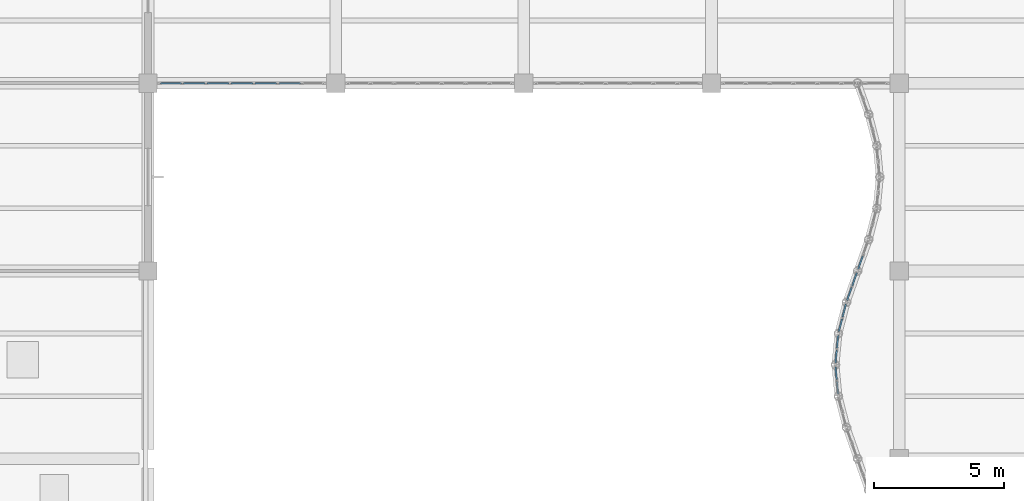
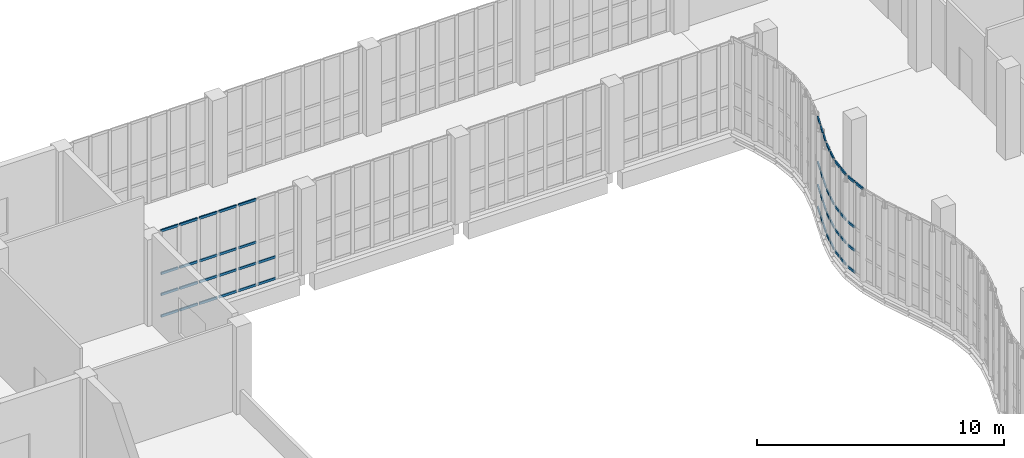
# One storey, part 53 of 108: 55 members, 6 elements without a shape of their own.
"""IFC4 building model written with IfcOpenShell, lengths in metres."""

from ifc_helpers import new_model, si_unit, direction, frame, origin, origin_2d, place, context, subcontext, project, spatial, hollow_rectangle, extrude, material, layer, layer_set, material_profile, profile_set, type_object, element, aggregate, save


model = new_model("IFC4")

# Units and contexts
model_context = context("Model", 3, precision=1e-05, world=origin(), true_north=direction((0.0, 1.0)))
body_context = subcontext(model_context, "Body", "Model", "MODEL_VIEW")
ifc_project = project(units=[si_unit("LENGTHUNIT", "METRE"), si_unit("AREAUNIT", "SQUARE_METRE"), si_unit("VOLUMEUNIT", "CUBIC_METRE"), si_unit("PLANEANGLEUNIT", "RADIAN"), si_unit("MASSUNIT", "GRAM", prefix="KILO"), si_unit("THERMODYNAMICTEMPERATUREUNIT", "KELVIN"), si_unit("POWERUNIT", "WATT")], contexts=[model_context])

# Site, building, storey
site_placement = place(None, origin())
site = spatial("IfcSite", under=ifc_project, at=site_placement, CompositionType="ELEMENT")
building_placement = place(site_placement, origin())
building = spatial("IfcBuilding", under=site, at=building_placement, Name="Kaldorven Railside Theatre", CompositionType="ELEMENT")
storey_placement = place(building_placement, frame((0.0, 0.0, 5.39990234375)))
storey = spatial("IfcBuildingStorey", under=building, at=storey_placement, Name="L01", CompositionType="ELEMENT", Elevation=5.39990234375)

# Curtain wall, members
ifc_material_1 = material(Name="Low-E laminated solar-control glass", Category="glass")
ifc_layer_1 = layer(ifc_material_1, 0.159912109375, Name="Low-E laminated solar-control glass")
ifc_layer_set_1 = layer_set([ifc_layer_1], Name="Low-E laminated solar-control glass")
curtain_wall_type_1 = type_object("IfcCurtainWallType", Name="CWT-03", PredefinedType="USERDEFINED", material=ifc_layer_set_1)
curtain_wall_1_placement = place(storey_placement, origin())
curtain_wall_1 = element("IfcCurtainWall", 1, at=curtain_wall_1_placement, inside=storey, type_object=curtain_wall_type_1, Name="Sinusoidal Fluted Curtain Wall CW-L01-W15", ObjectType="FLUTED GLAZING", PredefinedType="USERDEFINED")
ifc_material_2 = material(Name="Anodised bronze aluminium", Category="aluminium")
ifc_material_profile = material_profile(ifc_material_2, hollow_rectangle(XDim=0.06005859375, YDim=0.1201171875, WallThickness=0.0048828125, at=origin_2d()), Name="RHS 120x60x5")
ifc_profile_set = profile_set([ifc_material_profile], Name="Anodised bronze aluminium")
member_type = type_object("IfcMemberType", Name="CWT-120", PredefinedType="USERDEFINED", material=ifc_profile_set)
member_1_placement = place(storey_placement, frame((70.456298828125, 57.6796875, 4.47021484375), z_axis=(-0.094594245591, 0.995515910823, 0.0), x_axis=(-0.995515910823, -0.094594245591, 0.0)))
member_1 = element("IfcMember", 2, at=member_1_placement, type_object=member_type, Name="CW-L01-W15 transom 1.4", ObjectType="TRANSOM", PredefinedType="USERDEFINED", context=body_context, shape_type="SweptSolid", body=[
    extrude(hollow_rectangle(XDim=0.06005859375, YDim=0.1201171875, WallThickness=0.0048828125, at=origin_2d()), origin(), (0.0, 0.0, 1.0), 0.482666015625),
])
member_2_placement = place(storey_placement, frame((70.403076171875, 58.23974609375, 0.030029296875), z_axis=(-0.094045520105, 0.995567898311, 0.0), x_axis=(-0.995567898311, -0.094045520105, 0.0)))
member_2 = element("IfcMember", 3, at=member_2_placement, type_object=member_type, Name="CW-L01-W15 transom 2.1", ObjectType="TRANSOM", PredefinedType="USERDEFINED", context=body_context, shape_type="SweptSolid", body=[
    extrude(hollow_rectangle(XDim=0.06005859375, YDim=0.1201171875, WallThickness=0.0048828125, at=origin_2d()), origin(), (0.0, 0.0, 1.0), 0.48291015625),
])
member_3_placement = place(storey_placement, frame((70.403076171875, 58.23974609375, 1.10009765625), z_axis=(-0.094045520105, 0.995567898311, 0.0), x_axis=(-0.995567898311, -0.094045520105, 0.0)))
member_3 = element("IfcMember", 4, at=member_3_placement, type_object=member_type, Name="CW-L01-W15 transom 2.2", ObjectType="TRANSOM", PredefinedType="USERDEFINED", context=body_context, shape_type="SweptSolid", body=[
    extrude(hollow_rectangle(XDim=0.06005859375, YDim=0.1201171875, WallThickness=0.0048828125, at=origin_2d()), origin(), (0.0, 0.0, 1.0), 0.48291015625),
])
member_4_placement = place(storey_placement, frame((70.403076171875, 58.23974609375, 2.25), z_axis=(-0.094045520105, 0.995567898311, 0.0), x_axis=(-0.995567898311, -0.094045520105, 0.0)))
member_4 = element("IfcMember", 5, at=member_4_placement, type_object=member_type, Name="CW-L01-W15 transom 2.3", ObjectType="TRANSOM", PredefinedType="USERDEFINED", context=body_context, shape_type="SweptSolid", body=[
    extrude(hollow_rectangle(XDim=0.06005859375, YDim=0.1201171875, WallThickness=0.0048828125, at=origin_2d()), origin(), (0.0, 0.0, 1.0), 0.48291015625),
])
member_5_placement = place(storey_placement, frame((70.403076171875, 58.23974609375, 4.47021484375), z_axis=(-0.094045520105, 0.995567898311, 0.0), x_axis=(-0.995567898311, -0.094045520105, 0.0)))
member_5 = element("IfcMember", 6, at=member_5_placement, type_object=member_type, Name="CW-L01-W15 transom 2.4", ObjectType="TRANSOM", PredefinedType="USERDEFINED", context=body_context, shape_type="SweptSolid", body=[
    extrude(hollow_rectangle(XDim=0.06005859375, YDim=0.1201171875, WallThickness=0.0048828125, at=origin_2d()), origin(), (0.0, 0.0, 1.0), 0.48291015625),
])
aggregate(curtain_wall_1, [member_1, member_2, member_3, member_4, member_5])

curtain_wall_2_placement = place(storey_placement, origin())
curtain_wall_2 = element("IfcCurtainWall", 7, at=curtain_wall_2_placement, inside=storey, type_object=curtain_wall_type_1, Name="Sinusoidal Fluted Curtain Wall CW-L01-W16", ObjectType="FLUTED GLAZING", PredefinedType="USERDEFINED")
member_6_placement = place(storey_placement, frame((70.357666015625, 58.879638671875, 0.030029296875), z_axis=(0.094092884485, 0.995563422937, 0.0), x_axis=(-0.995563422937, 0.094092884485, 0.0)))
member_6 = element("IfcMember", 8, at=member_6_placement, type_object=member_type, Name="CW-L01-W16 transom 1.1", ObjectType="TRANSOM", PredefinedType="USERDEFINED", context=body_context, shape_type="SweptSolid", body=[
    extrude(hollow_rectangle(XDim=0.06005859375, YDim=0.1201171875, WallThickness=0.0048828125, at=origin_2d()), origin(), (0.0, 0.0, 1.0), 0.482666015625),
])
member_7_placement = place(storey_placement, frame((70.357666015625, 58.879638671875, 1.10009765625), z_axis=(0.094092884485, 0.995563422937, 0.0), x_axis=(-0.995563422937, 0.094092884485, 0.0)))
member_7 = element("IfcMember", 9, at=member_7_placement, type_object=member_type, Name="CW-L01-W16 transom 1.2", ObjectType="TRANSOM", PredefinedType="USERDEFINED", context=body_context, shape_type="SweptSolid", body=[
    extrude(hollow_rectangle(XDim=0.06005859375, YDim=0.1201171875, WallThickness=0.0048828125, at=origin_2d()), origin(), (0.0, 0.0, 1.0), 0.482666015625),
])
member_8_placement = place(storey_placement, frame((70.357666015625, 58.879638671875, 2.25), z_axis=(0.094092884485, 0.995563422937, 0.0), x_axis=(-0.995563422937, 0.094092884485, 0.0)))
member_8 = element("IfcMember", 10, at=member_8_placement, type_object=member_type, Name="CW-L01-W16 transom 1.3", ObjectType="TRANSOM", PredefinedType="USERDEFINED", context=body_context, shape_type="SweptSolid", body=[
    extrude(hollow_rectangle(XDim=0.06005859375, YDim=0.1201171875, WallThickness=0.0048828125, at=origin_2d()), origin(), (0.0, 0.0, 1.0), 0.482666015625),
])
member_9_placement = place(storey_placement, frame((70.357666015625, 58.879638671875, 4.47021484375), z_axis=(0.094092884485, 0.995563422937, 0.0), x_axis=(-0.995563422937, 0.094092884485, 0.0)))
member_9 = element("IfcMember", 11, at=member_9_placement, type_object=member_type, Name="CW-L01-W16 transom 1.4", ObjectType="TRANSOM", PredefinedType="USERDEFINED", context=body_context, shape_type="SweptSolid", body=[
    extrude(hollow_rectangle(XDim=0.06005859375, YDim=0.1201171875, WallThickness=0.0048828125, at=origin_2d()), origin(), (0.0, 0.0, 1.0), 0.482666015625),
])
member_10_placement = place(storey_placement, frame((70.41064453125, 59.43994140625, 0.030029296875), z_axis=(0.094594245591, 0.995515910823, 0.0), x_axis=(-0.995515910823, 0.094594245591, 0.0)))
member_10 = element("IfcMember", 12, at=member_10_placement, type_object=member_type, Name="CW-L01-W16 transom 2.1", ObjectType="TRANSOM", PredefinedType="USERDEFINED", context=body_context, shape_type="SweptSolid", body=[
    extrude(hollow_rectangle(XDim=0.06005859375, YDim=0.1201171875, WallThickness=0.0048828125, at=origin_2d()), origin(), (0.0, 0.0, 1.0), 0.482666015625),
])
member_11_placement = place(storey_placement, frame((70.41064453125, 59.43994140625, 1.10009765625), z_axis=(0.094594245591, 0.995515910823, 0.0), x_axis=(-0.995515910823, 0.094594245591, 0.0)))
member_11 = element("IfcMember", 13, at=member_11_placement, type_object=member_type, Name="CW-L01-W16 transom 2.2", ObjectType="TRANSOM", PredefinedType="USERDEFINED", context=body_context, shape_type="SweptSolid", body=[
    extrude(hollow_rectangle(XDim=0.06005859375, YDim=0.1201171875, WallThickness=0.0048828125, at=origin_2d()), origin(), (0.0, 0.0, 1.0), 0.482666015625),
])
member_12_placement = place(storey_placement, frame((70.41064453125, 59.43994140625, 2.25), z_axis=(0.094594245591, 0.995515910823, 0.0), x_axis=(-0.995515910823, 0.094594245591, 0.0)))
member_12 = element("IfcMember", 14, at=member_12_placement, type_object=member_type, Name="CW-L01-W16 transom 2.3", ObjectType="TRANSOM", PredefinedType="USERDEFINED", context=body_context, shape_type="SweptSolid", body=[
    extrude(hollow_rectangle(XDim=0.06005859375, YDim=0.1201171875, WallThickness=0.0048828125, at=origin_2d()), origin(), (0.0, 0.0, 1.0), 0.482666015625),
])
member_13_placement = place(storey_placement, frame((70.41064453125, 59.43994140625, 4.47021484375), z_axis=(0.094594245591, 0.995515910823, 0.0), x_axis=(-0.995515910823, 0.094594245591, 0.0)))
member_13 = element("IfcMember", 15, at=member_13_placement, type_object=member_type, Name="CW-L01-W16 transom 2.4", ObjectType="TRANSOM", PredefinedType="USERDEFINED", context=body_context, shape_type="SweptSolid", body=[
    extrude(hollow_rectangle(XDim=0.06005859375, YDim=0.1201171875, WallThickness=0.0048828125, at=origin_2d()), origin(), (0.0, 0.0, 1.0), 0.482666015625),
])
aggregate(curtain_wall_2, [member_6, member_7, member_8, member_9, member_10, member_11, member_12, member_13])

ifc_layer_2 = layer(ifc_material_1, 0.159912109375, Name="Low-E laminated solar-control glass")
ifc_layer_set_2 = layer_set([ifc_layer_2], Name="Low-E laminated solar-control glass")
curtain_wall_type_2 = type_object("IfcCurtainWallType", Name="CWT-02", PredefinedType="USERDEFINED", material=ifc_layer_set_2)
curtain_wall_3_placement = place(storey_placement, origin())
curtain_wall_3 = element("IfcCurtainWall", 16, at=curtain_wall_3_placement, inside=storey, type_object=curtain_wall_type_2, Name="Sinusoidal Fluted Curtain Wall CW-L01-W17", ObjectType="FLUTED GLAZING", PredefinedType="USERDEFINED")
member_14_placement = place(storey_placement, frame((70.48388671875, 60.077392578125, 0.030029296875), z_axis=(0.251029954561, 0.967979318949, 0.0), x_axis=(-0.967979318949, 0.251029954561, 0.0)))
member_14 = element("IfcMember", 17, at=member_14_placement, type_object=member_type, Name="CW-L01-W17 transom 1.1", ObjectType="TRANSOM", PredefinedType="USERDEFINED", context=body_context, shape_type="SweptSolid", body=[
    extrude(hollow_rectangle(XDim=0.06005859375, YDim=0.1201171875, WallThickness=0.0048828125, at=origin_2d()), origin(), (0.0, 0.0, 1.0), 0.5),
])
member_15_placement = place(storey_placement, frame((70.48388671875, 60.077392578125, 1.10009765625), z_axis=(0.251029954561, 0.967979318949, 0.0), x_axis=(-0.967979318949, 0.251029954561, 0.0)))
member_15 = element("IfcMember", 18, at=member_15_placement, type_object=member_type, Name="CW-L01-W17 transom 1.2", ObjectType="TRANSOM", PredefinedType="USERDEFINED", context=body_context, shape_type="SweptSolid", body=[
    extrude(hollow_rectangle(XDim=0.06005859375, YDim=0.1201171875, WallThickness=0.0048828125, at=origin_2d()), origin(), (0.0, 0.0, 1.0), 0.5),
])
member_16_placement = place(storey_placement, frame((70.48388671875, 60.077392578125, 2.25), z_axis=(0.251029954561, 0.967979318949, 0.0), x_axis=(-0.967979318949, 0.251029954561, 0.0)))
member_16 = element("IfcMember", 19, at=member_16_placement, type_object=member_type, Name="CW-L01-W17 transom 1.3", ObjectType="TRANSOM", PredefinedType="USERDEFINED", context=body_context, shape_type="SweptSolid", body=[
    extrude(hollow_rectangle(XDim=0.06005859375, YDim=0.1201171875, WallThickness=0.0048828125, at=origin_2d()), origin(), (0.0, 0.0, 1.0), 0.5),
])
member_17_placement = place(storey_placement, frame((70.48388671875, 60.077392578125, 4.47021484375), z_axis=(0.251029954561, 0.967979318949, 0.0), x_axis=(-0.967979318949, 0.251029954561, 0.0)))
member_17 = element("IfcMember", 20, at=member_17_placement, type_object=member_type, Name="CW-L01-W17 transom 1.4", ObjectType="TRANSOM", PredefinedType="USERDEFINED", context=body_context, shape_type="SweptSolid", body=[
    extrude(hollow_rectangle(XDim=0.06005859375, YDim=0.1201171875, WallThickness=0.0048828125, at=origin_2d()), origin(), (0.0, 0.0, 1.0), 0.5),
])
member_18_placement = place(storey_placement, frame((70.62939453125, 60.638671875, 0.030029296875), z_axis=(0.251029954561, 0.967979318949, 0.0), x_axis=(-0.967979318949, 0.251029954561, 0.0)))
member_18 = element("IfcMember", 21, at=member_18_placement, type_object=member_type, Name="CW-L01-W17 transom 2.1", ObjectType="TRANSOM", PredefinedType="USERDEFINED", context=body_context, shape_type="SweptSolid", body=[
    extrude(hollow_rectangle(XDim=0.06005859375, YDim=0.1201171875, WallThickness=0.0048828125, at=origin_2d()), origin(), (0.0, 0.0, 1.0), 0.5),
])
member_19_placement = place(storey_placement, frame((70.62939453125, 60.638671875, 1.10009765625), z_axis=(0.251029954561, 0.967979318949, 0.0), x_axis=(-0.967979318949, 0.251029954561, 0.0)))
member_19 = element("IfcMember", 22, at=member_19_placement, type_object=member_type, Name="CW-L01-W17 transom 2.2", ObjectType="TRANSOM", PredefinedType="USERDEFINED", context=body_context, shape_type="SweptSolid", body=[
    extrude(hollow_rectangle(XDim=0.06005859375, YDim=0.1201171875, WallThickness=0.0048828125, at=origin_2d()), origin(), (0.0, 0.0, 1.0), 0.5),
])
member_20_placement = place(storey_placement, frame((70.62939453125, 60.638671875, 2.25), z_axis=(0.251029954561, 0.967979318949, 0.0), x_axis=(-0.967979318949, 0.251029954561, 0.0)))
member_20 = element("IfcMember", 23, at=member_20_placement, type_object=member_type, Name="CW-L01-W17 transom 2.3", ObjectType="TRANSOM", PredefinedType="USERDEFINED", context=body_context, shape_type="SweptSolid", body=[
    extrude(hollow_rectangle(XDim=0.06005859375, YDim=0.1201171875, WallThickness=0.0048828125, at=origin_2d()), origin(), (0.0, 0.0, 1.0), 0.5),
])
member_21_placement = place(storey_placement, frame((70.62939453125, 60.638671875, 4.47021484375), z_axis=(0.251029954561, 0.967979318949, 0.0), x_axis=(-0.967979318949, 0.251029954561, 0.0)))
member_21 = element("IfcMember", 24, at=member_21_placement, type_object=member_type, Name="CW-L01-W17 transom 2.4", ObjectType="TRANSOM", PredefinedType="USERDEFINED", context=body_context, shape_type="SweptSolid", body=[
    extrude(hollow_rectangle(XDim=0.06005859375, YDim=0.1201171875, WallThickness=0.0048828125, at=origin_2d()), origin(), (0.0, 0.0, 1.0), 0.5),
])
aggregate(curtain_wall_3, [member_14, member_15, member_16, member_17, member_18, member_19, member_20, member_21])

ifc_layer_3 = layer(ifc_material_1, 0.159912109375, Name="Low-E laminated solar-control glass")
ifc_layer_set_3 = layer_set([ifc_layer_3], Name="Low-E laminated solar-control glass")
curtain_wall_type_3 = type_object("IfcCurtainWallType", Name="CWT-01", PredefinedType="USERDEFINED", material=ifc_layer_set_3)
curtain_wall_4_placement = place(storey_placement, origin())
curtain_wall_4 = element("IfcCurtainWall", 25, at=curtain_wall_4_placement, inside=storey, type_object=curtain_wall_type_3, Name="Sinusoidal Fluted Curtain Wall CW-L01-W18", ObjectType="FLUTED GLAZING", PredefinedType="USERDEFINED")
member_22_placement = place(storey_placement, frame((70.8017578125, 61.275390625, 0.030029296875), z_axis=(0.333759628763, 0.942658214948, 0.0), x_axis=(-0.942658214948, 0.333759628763, 0.0)))
member_22 = element("IfcMember", 26, at=member_22_placement, type_object=member_type, Name="CW-L01-W18 transom 1.1", ObjectType="TRANSOM", PredefinedType="USERDEFINED", context=body_context, shape_type="SweptSolid", body=[
    extrude(hollow_rectangle(XDim=0.06005859375, YDim=0.1201171875, WallThickness=0.0048828125, at=origin_2d()), origin(), (0.0, 0.0, 1.0), 0.516357421875),
])
member_23_placement = place(storey_placement, frame((70.8017578125, 61.275390625, 1.10009765625), z_axis=(0.333759628763, 0.942658214948, 0.0), x_axis=(-0.942658214948, 0.333759628763, 0.0)))
member_23 = element("IfcMember", 27, at=member_23_placement, type_object=member_type, Name="CW-L01-W18 transom 1.2", ObjectType="TRANSOM", PredefinedType="USERDEFINED", context=body_context, shape_type="SweptSolid", body=[
    extrude(hollow_rectangle(XDim=0.06005859375, YDim=0.1201171875, WallThickness=0.0048828125, at=origin_2d()), origin(), (0.0, 0.0, 1.0), 0.516357421875),
])
member_24_placement = place(storey_placement, frame((70.8017578125, 61.275390625, 2.25), z_axis=(0.333759628763, 0.942658214948, 0.0), x_axis=(-0.942658214948, 0.333759628763, 0.0)))
member_24 = element("IfcMember", 28, at=member_24_placement, type_object=member_type, Name="CW-L01-W18 transom 1.3", ObjectType="TRANSOM", PredefinedType="USERDEFINED", context=body_context, shape_type="SweptSolid", body=[
    extrude(hollow_rectangle(XDim=0.06005859375, YDim=0.1201171875, WallThickness=0.0048828125, at=origin_2d()), origin(), (0.0, 0.0, 1.0), 0.516357421875),
])
member_25_placement = place(storey_placement, frame((70.8017578125, 61.275390625, 4.47021484375), z_axis=(0.333759628763, 0.942658214948, 0.0), x_axis=(-0.942658214948, 0.333759628763, 0.0)))
member_25 = element("IfcMember", 29, at=member_25_placement, type_object=member_type, Name="CW-L01-W18 transom 1.4", ObjectType="TRANSOM", PredefinedType="USERDEFINED", context=body_context, shape_type="SweptSolid", body=[
    extrude(hollow_rectangle(XDim=0.06005859375, YDim=0.1201171875, WallThickness=0.0048828125, at=origin_2d()), origin(), (0.0, 0.0, 1.0), 0.516357421875),
])
member_26_placement = place(storey_placement, frame((71.000732421875, 61.837646484375, 0.030029296875), z_axis=(0.334030800363, 0.94256215944, 0.0), x_axis=(-0.94256215944, 0.334030800363, 0.0)))
member_26 = element("IfcMember", 30, at=member_26_placement, type_object=member_type, Name="CW-L01-W18 transom 2.1", ObjectType="TRANSOM", PredefinedType="USERDEFINED", context=body_context, shape_type="SweptSolid", body=[
    extrude(hollow_rectangle(XDim=0.06005859375, YDim=0.1201171875, WallThickness=0.0048828125, at=origin_2d()), origin(), (0.0, 0.0, 1.0), 0.516845703125),
])
member_27_placement = place(storey_placement, frame((71.000732421875, 61.837646484375, 1.10009765625), z_axis=(0.334030800363, 0.94256215944, 0.0), x_axis=(-0.94256215944, 0.334030800363, 0.0)))
member_27 = element("IfcMember", 31, at=member_27_placement, type_object=member_type, Name="CW-L01-W18 transom 2.2", ObjectType="TRANSOM", PredefinedType="USERDEFINED", context=body_context, shape_type="SweptSolid", body=[
    extrude(hollow_rectangle(XDim=0.06005859375, YDim=0.1201171875, WallThickness=0.0048828125, at=origin_2d()), origin(), (0.0, 0.0, 1.0), 0.516845703125),
])
member_28_placement = place(storey_placement, frame((71.000732421875, 61.837646484375, 2.25), z_axis=(0.334030800363, 0.94256215944, 0.0), x_axis=(-0.94256215944, 0.334030800363, 0.0)))
member_28 = element("IfcMember", 32, at=member_28_placement, type_object=member_type, Name="CW-L01-W18 transom 2.3", ObjectType="TRANSOM", PredefinedType="USERDEFINED", context=body_context, shape_type="SweptSolid", body=[
    extrude(hollow_rectangle(XDim=0.06005859375, YDim=0.1201171875, WallThickness=0.0048828125, at=origin_2d()), origin(), (0.0, 0.0, 1.0), 0.516845703125),
])
member_29_placement = place(storey_placement, frame((71.000732421875, 61.837646484375, 4.47021484375), z_axis=(0.334030800363, 0.94256215944, 0.0), x_axis=(-0.94256215944, 0.334030800363, 0.0)))
member_29 = element("IfcMember", 33, at=member_29_placement, type_object=member_type, Name="CW-L01-W18 transom 2.4", ObjectType="TRANSOM", PredefinedType="USERDEFINED", context=body_context, shape_type="SweptSolid", body=[
    extrude(hollow_rectangle(XDim=0.06005859375, YDim=0.1201171875, WallThickness=0.0048828125, at=origin_2d()), origin(), (0.0, 0.0, 1.0), 0.516845703125),
])
aggregate(curtain_wall_4, [member_22, member_23, member_24, member_25, member_26, member_27, member_28, member_29])

curtain_wall_5_placement = place(storey_placement, origin())
curtain_wall_5 = element("IfcCurtainWall", 34, at=curtain_wall_5_placement, inside=storey, type_object=curtain_wall_type_3, Name="Sinusoidal Fluted Curtain Wall CW-L01-W19", ObjectType="FLUTED GLAZING", PredefinedType="USERDEFINED")
member_30_placement = place(storey_placement, frame((71.226806640625, 62.475341796875, 0.030029296875), z_axis=(0.333610954502, 0.942710841688, 0.0), x_axis=(-0.942710841688, 0.333610954502, 0.0)))
member_30 = element("IfcMember", 35, at=member_30_placement, type_object=member_type, Name="CW-L01-W19 transom 1.1", ObjectType="TRANSOM", PredefinedType="USERDEFINED", context=body_context, shape_type="SweptSolid", body=[
    extrude(hollow_rectangle(XDim=0.06005859375, YDim=0.1201171875, WallThickness=0.0048828125, at=origin_2d()), origin(), (0.0, 0.0, 1.0), 0.5166015625),
])
member_31_placement = place(storey_placement, frame((71.226806640625, 62.475341796875, 1.10009765625), z_axis=(0.333610954502, 0.942710841688, 0.0), x_axis=(-0.942710841688, 0.333610954502, 0.0)))
member_31 = element("IfcMember", 36, at=member_31_placement, type_object=member_type, Name="CW-L01-W19 transom 1.2", ObjectType="TRANSOM", PredefinedType="USERDEFINED", context=body_context, shape_type="SweptSolid", body=[
    extrude(hollow_rectangle(XDim=0.06005859375, YDim=0.1201171875, WallThickness=0.0048828125, at=origin_2d()), origin(), (0.0, 0.0, 1.0), 0.5166015625),
])
member_32_placement = place(storey_placement, frame((71.226806640625, 62.475341796875, 2.25), z_axis=(0.333610954502, 0.942710841688, 0.0), x_axis=(-0.942710841688, 0.333610954502, 0.0)))
member_32 = element("IfcMember", 37, at=member_32_placement, type_object=member_type, Name="CW-L01-W19 transom 1.3", ObjectType="TRANSOM", PredefinedType="USERDEFINED", context=body_context, shape_type="SweptSolid", body=[
    extrude(hollow_rectangle(XDim=0.06005859375, YDim=0.1201171875, WallThickness=0.0048828125, at=origin_2d()), origin(), (0.0, 0.0, 1.0), 0.5166015625),
])
member_33_placement = place(storey_placement, frame((71.226806640625, 62.475341796875, 4.47021484375), z_axis=(0.333610954502, 0.942710841688, 0.0), x_axis=(-0.942710841688, 0.333610954502, 0.0)))
member_33 = element("IfcMember", 38, at=member_33_placement, type_object=member_type, Name="CW-L01-W19 transom 1.4", ObjectType="TRANSOM", PredefinedType="USERDEFINED", context=body_context, shape_type="SweptSolid", body=[
    extrude(hollow_rectangle(XDim=0.06005859375, YDim=0.1201171875, WallThickness=0.0048828125, at=origin_2d()), origin(), (0.0, 0.0, 1.0), 0.5166015625),
])
aggregate(curtain_wall_5, [member_30, member_31, member_32, member_33])

ifc_layer_4 = layer(ifc_material_1, 0.159912109375, Name="Low-E laminated solar-control glass")
ifc_layer_set_4 = layer_set([ifc_layer_4], Name="Low-E laminated solar-control glass")
curtain_wall_type_4 = type_object("IfcCurtainWallType", Name="CWT-25", PredefinedType="USERDEFINED", material=ifc_layer_set_4)
curtain_wall_6_placement = place(storey_placement, origin())
curtain_wall_6 = element("IfcCurtainWall", 39, at=curtain_wall_6_placement, inside=storey, type_object=curtain_wall_type_4, Name="Sinusoidal Fluted Curtain Wall CW-L01-BS01", ObjectType="FLUTED GLAZING", PredefinedType="USERDEFINED")
member_34_placement = place(storey_placement, frame((44.47998046875, 69.60009765625, 0.030029296875), z_axis=(1.0, 0.0, 0.0), x_axis=(0.0, 1.0, 0.0)))
member_34 = element("IfcMember", 40, at=member_34_placement, type_object=member_type, Name="CW-L01-BS01 transom 1.1", ObjectType="TRANSOM", PredefinedType="USERDEFINED", context=body_context, shape_type="SweptSolid", body=[
    extrude(hollow_rectangle(XDim=0.06005859375, YDim=0.1201171875, WallThickness=0.0048828125, at=origin_2d()), origin(), (0.0, 0.0, 1.0), 0.794189453125),
])
member_35_placement = place(storey_placement, frame((44.47998046875, 69.60009765625, 1.10009765625), z_axis=(1.0, 0.0, 0.0), x_axis=(0.0, 1.0, 0.0)))
member_35 = element("IfcMember", 41, at=member_35_placement, type_object=member_type, Name="CW-L01-BS01 transom 1.2", ObjectType="TRANSOM", PredefinedType="USERDEFINED", context=body_context, shape_type="SweptSolid", body=[
    extrude(hollow_rectangle(XDim=0.06005859375, YDim=0.1201171875, WallThickness=0.0048828125, at=origin_2d()), origin(), (0.0, 0.0, 1.0), 0.794189453125),
])
member_36_placement = place(storey_placement, frame((44.47998046875, 69.60009765625, 2.14013671875), z_axis=(1.0, 0.0, 0.0), x_axis=(0.0, 1.0, 0.0)))
member_36 = element("IfcMember", 42, at=member_36_placement, type_object=member_type, Name="CW-L01-BS01 transom 1.3", ObjectType="TRANSOM", PredefinedType="USERDEFINED", context=body_context, shape_type="SweptSolid", body=[
    extrude(hollow_rectangle(XDim=0.06005859375, YDim=0.1201171875, WallThickness=0.0048828125, at=origin_2d()), origin(), (0.0, 0.0, 1.0), 0.794189453125),
])
member_37_placement = place(storey_placement, frame((44.47998046875, 69.60009765625, 4.25), z_axis=(1.0, 0.0, 0.0), x_axis=(0.0, 1.0, 0.0)))
member_37 = element("IfcMember", 43, at=member_37_placement, type_object=member_type, Name="CW-L01-BS01 transom 1.4", ObjectType="TRANSOM", PredefinedType="USERDEFINED", context=body_context, shape_type="SweptSolid", body=[
    extrude(hollow_rectangle(XDim=0.06005859375, YDim=0.1201171875, WallThickness=0.0048828125, at=origin_2d()), origin(), (0.0, 0.0, 1.0), 0.794189453125),
])
member_38_placement = place(storey_placement, frame((45.354248046875, 69.60009765625, 0.030029296875), z_axis=(1.0, 0.0, 0.0), x_axis=(0.0, 1.0, 0.0)))
member_38 = element("IfcMember", 44, at=member_38_placement, type_object=member_type, Name="CW-L01-BS01 transom 2.1", ObjectType="TRANSOM", PredefinedType="USERDEFINED", context=body_context, shape_type="SweptSolid", body=[
    extrude(hollow_rectangle(XDim=0.06005859375, YDim=0.1201171875, WallThickness=0.0048828125, at=origin_2d()), origin(), (0.0, 0.0, 1.0), 0.834228515625),
])
member_39_placement = place(storey_placement, frame((45.354248046875, 69.60009765625, 1.10009765625), z_axis=(1.0, 0.0, 0.0), x_axis=(0.0, 1.0, 0.0)))
member_39 = element("IfcMember", 45, at=member_39_placement, type_object=member_type, Name="CW-L01-BS01 transom 2.2", ObjectType="TRANSOM", PredefinedType="USERDEFINED", context=body_context, shape_type="SweptSolid", body=[
    extrude(hollow_rectangle(XDim=0.06005859375, YDim=0.1201171875, WallThickness=0.0048828125, at=origin_2d()), origin(), (0.0, 0.0, 1.0), 0.834228515625),
])
member_40_placement = place(storey_placement, frame((45.354248046875, 69.60009765625, 2.14013671875), z_axis=(1.0, 0.0, 0.0), x_axis=(0.0, 1.0, 0.0)))
member_40 = element("IfcMember", 46, at=member_40_placement, type_object=member_type, Name="CW-L01-BS01 transom 2.3", ObjectType="TRANSOM", PredefinedType="USERDEFINED", context=body_context, shape_type="SweptSolid", body=[
    extrude(hollow_rectangle(XDim=0.06005859375, YDim=0.1201171875, WallThickness=0.0048828125, at=origin_2d()), origin(), (0.0, 0.0, 1.0), 0.834228515625),
])
member_41_placement = place(storey_placement, frame((45.354248046875, 69.60009765625, 4.25), z_axis=(1.0, 0.0, 0.0), x_axis=(0.0, 1.0, 0.0)))
member_41 = element("IfcMember", 47, at=member_41_placement, type_object=member_type, Name="CW-L01-BS01 transom 2.4", ObjectType="TRANSOM", PredefinedType="USERDEFINED", context=body_context, shape_type="SweptSolid", body=[
    extrude(hollow_rectangle(XDim=0.06005859375, YDim=0.1201171875, WallThickness=0.0048828125, at=origin_2d()), origin(), (0.0, 0.0, 1.0), 0.834228515625),
])
member_42_placement = place(storey_placement, frame((46.2685546875, 69.60009765625, 0.030029296875), z_axis=(1.0, 0.0, 0.0), x_axis=(0.0, 1.0, 0.0)))
member_42 = element("IfcMember", 48, at=member_42_placement, type_object=member_type, Name="CW-L01-BS01 transom 3.1", ObjectType="TRANSOM", PredefinedType="USERDEFINED", context=body_context, shape_type="SweptSolid", body=[
    extrude(hollow_rectangle(XDim=0.06005859375, YDim=0.1201171875, WallThickness=0.0048828125, at=origin_2d()), origin(), (0.0, 0.0, 1.0), 0.834228515625),
])
member_43_placement = place(storey_placement, frame((46.2685546875, 69.60009765625, 1.10009765625), z_axis=(1.0, 0.0, 0.0), x_axis=(0.0, 1.0, 0.0)))
member_43 = element("IfcMember", 49, at=member_43_placement, type_object=member_type, Name="CW-L01-BS01 transom 3.2", ObjectType="TRANSOM", PredefinedType="USERDEFINED", context=body_context, shape_type="SweptSolid", body=[
    extrude(hollow_rectangle(XDim=0.06005859375, YDim=0.1201171875, WallThickness=0.0048828125, at=origin_2d()), origin(), (0.0, 0.0, 1.0), 0.834228515625),
])
member_44_placement = place(storey_placement, frame((46.2685546875, 69.60009765625, 2.14013671875), z_axis=(1.0, 0.0, 0.0), x_axis=(0.0, 1.0, 0.0)))
member_44 = element("IfcMember", 50, at=member_44_placement, type_object=member_type, Name="CW-L01-BS01 transom 3.3", ObjectType="TRANSOM", PredefinedType="USERDEFINED", context=body_context, shape_type="SweptSolid", body=[
    extrude(hollow_rectangle(XDim=0.06005859375, YDim=0.1201171875, WallThickness=0.0048828125, at=origin_2d()), origin(), (0.0, 0.0, 1.0), 0.834228515625),
])
member_45_placement = place(storey_placement, frame((46.2685546875, 69.60009765625, 4.25), z_axis=(1.0, 0.0, 0.0), x_axis=(0.0, 1.0, 0.0)))
member_45 = element("IfcMember", 51, at=member_45_placement, type_object=member_type, Name="CW-L01-BS01 transom 3.4", ObjectType="TRANSOM", PredefinedType="USERDEFINED", context=body_context, shape_type="SweptSolid", body=[
    extrude(hollow_rectangle(XDim=0.06005859375, YDim=0.1201171875, WallThickness=0.0048828125, at=origin_2d()), origin(), (0.0, 0.0, 1.0), 0.834228515625),
])
member_46_placement = place(storey_placement, frame((47.182861328125, 69.60009765625, 0.030029296875), z_axis=(1.0, 0.0, 0.0), x_axis=(0.0, 1.0, 0.0)))
member_46 = element("IfcMember", 52, at=member_46_placement, type_object=member_type, Name="CW-L01-BS01 transom 4.1", ObjectType="TRANSOM", PredefinedType="USERDEFINED", context=body_context, shape_type="SweptSolid", body=[
    extrude(hollow_rectangle(XDim=0.06005859375, YDim=0.1201171875, WallThickness=0.0048828125, at=origin_2d()), origin(), (0.0, 0.0, 1.0), 0.834228515625),
])
member_47_placement = place(storey_placement, frame((47.182861328125, 69.60009765625, 1.10009765625), z_axis=(1.0, 0.0, 0.0), x_axis=(0.0, 1.0, 0.0)))
member_47 = element("IfcMember", 53, at=member_47_placement, type_object=member_type, Name="CW-L01-BS01 transom 4.2", ObjectType="TRANSOM", PredefinedType="USERDEFINED", context=body_context, shape_type="SweptSolid", body=[
    extrude(hollow_rectangle(XDim=0.06005859375, YDim=0.1201171875, WallThickness=0.0048828125, at=origin_2d()), origin(), (0.0, 0.0, 1.0), 0.834228515625),
])
member_48_placement = place(storey_placement, frame((47.182861328125, 69.60009765625, 2.14013671875), z_axis=(1.0, 0.0, 0.0), x_axis=(0.0, 1.0, 0.0)))
member_48 = element("IfcMember", 54, at=member_48_placement, type_object=member_type, Name="CW-L01-BS01 transom 4.3", ObjectType="TRANSOM", PredefinedType="USERDEFINED", context=body_context, shape_type="SweptSolid", body=[
    extrude(hollow_rectangle(XDim=0.06005859375, YDim=0.1201171875, WallThickness=0.0048828125, at=origin_2d()), origin(), (0.0, 0.0, 1.0), 0.834228515625),
])
member_49_placement = place(storey_placement, frame((47.182861328125, 69.60009765625, 4.25), z_axis=(1.0, 0.0, 0.0), x_axis=(0.0, 1.0, 0.0)))
member_49 = element("IfcMember", 55, at=member_49_placement, type_object=member_type, Name="CW-L01-BS01 transom 4.4", ObjectType="TRANSOM", PredefinedType="USERDEFINED", context=body_context, shape_type="SweptSolid", body=[
    extrude(hollow_rectangle(XDim=0.06005859375, YDim=0.1201171875, WallThickness=0.0048828125, at=origin_2d()), origin(), (0.0, 0.0, 1.0), 0.834228515625),
])
member_50_placement = place(storey_placement, frame((48.09716796875, 69.60009765625, 0.030029296875), z_axis=(1.0, 0.0, 0.0), x_axis=(0.0, 1.0, 0.0)))
member_50 = element("IfcMember", 56, at=member_50_placement, type_object=member_type, Name="CW-L01-BS01 transom 5.1", ObjectType="TRANSOM", PredefinedType="USERDEFINED", context=body_context, shape_type="SweptSolid", body=[
    extrude(hollow_rectangle(XDim=0.06005859375, YDim=0.1201171875, WallThickness=0.0048828125, at=origin_2d()), origin(), (0.0, 0.0, 1.0), 0.834228515625),
])
member_51_placement = place(storey_placement, frame((48.09716796875, 69.60009765625, 1.10009765625), z_axis=(1.0, 0.0, 0.0), x_axis=(0.0, 1.0, 0.0)))
member_51 = element("IfcMember", 57, at=member_51_placement, type_object=member_type, Name="CW-L01-BS01 transom 5.2", ObjectType="TRANSOM", PredefinedType="USERDEFINED", context=body_context, shape_type="SweptSolid", body=[
    extrude(hollow_rectangle(XDim=0.06005859375, YDim=0.1201171875, WallThickness=0.0048828125, at=origin_2d()), origin(), (0.0, 0.0, 1.0), 0.834228515625),
])
member_52_placement = place(storey_placement, frame((48.09716796875, 69.60009765625, 2.14013671875), z_axis=(1.0, 0.0, 0.0), x_axis=(0.0, 1.0, 0.0)))
member_52 = element("IfcMember", 58, at=member_52_placement, type_object=member_type, Name="CW-L01-BS01 transom 5.3", ObjectType="TRANSOM", PredefinedType="USERDEFINED", context=body_context, shape_type="SweptSolid", body=[
    extrude(hollow_rectangle(XDim=0.06005859375, YDim=0.1201171875, WallThickness=0.0048828125, at=origin_2d()), origin(), (0.0, 0.0, 1.0), 0.834228515625),
])
member_53_placement = place(storey_placement, frame((48.09716796875, 69.60009765625, 4.25), z_axis=(1.0, 0.0, 0.0), x_axis=(0.0, 1.0, 0.0)))
member_53 = element("IfcMember", 59, at=member_53_placement, type_object=member_type, Name="CW-L01-BS01 transom 5.4", ObjectType="TRANSOM", PredefinedType="USERDEFINED", context=body_context, shape_type="SweptSolid", body=[
    extrude(hollow_rectangle(XDim=0.06005859375, YDim=0.1201171875, WallThickness=0.0048828125, at=origin_2d()), origin(), (0.0, 0.0, 1.0), 0.834228515625),
])
member_54_placement = place(storey_placement, frame((49.011474609375, 69.60009765625, 0.030029296875), z_axis=(1.0, 0.0, 0.0), x_axis=(0.0, 1.0, 0.0)))
member_54 = element("IfcMember", 60, at=member_54_placement, type_object=member_type, Name="CW-L01-BS01 transom 6.1", ObjectType="TRANSOM", PredefinedType="USERDEFINED", context=body_context, shape_type="SweptSolid", body=[
    extrude(hollow_rectangle(XDim=0.06005859375, YDim=0.1201171875, WallThickness=0.0048828125, at=origin_2d()), origin(), (0.0, 0.0, 1.0), 0.834228515625),
])
member_55_placement = place(storey_placement, frame((49.011474609375, 69.60009765625, 1.10009765625), z_axis=(1.0, 0.0, 0.0), x_axis=(0.0, 1.0, 0.0)))
member_55 = element("IfcMember", 61, at=member_55_placement, type_object=member_type, Name="CW-L01-BS01 transom 6.2", ObjectType="TRANSOM", PredefinedType="USERDEFINED", context=body_context, shape_type="SweptSolid", body=[
    extrude(hollow_rectangle(XDim=0.06005859375, YDim=0.1201171875, WallThickness=0.0048828125, at=origin_2d()), origin(), (0.0, 0.0, 1.0), 0.834228515625),
])
aggregate(curtain_wall_6, [member_34, member_35, member_36, member_37, member_38, member_39, member_40, member_41, member_42, member_43, member_44, member_45, member_46, member_47, member_48, member_49, member_50, member_51, member_52, member_53, member_54, member_55])

save(model, "model.ifc")
